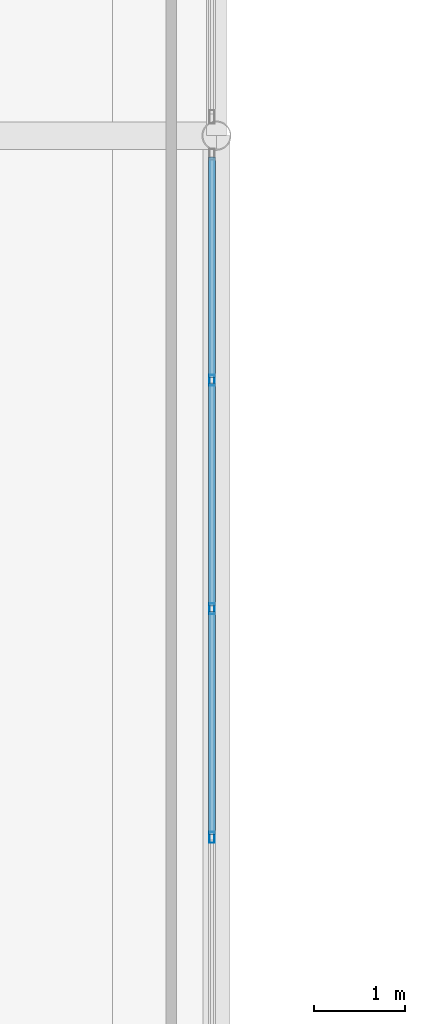
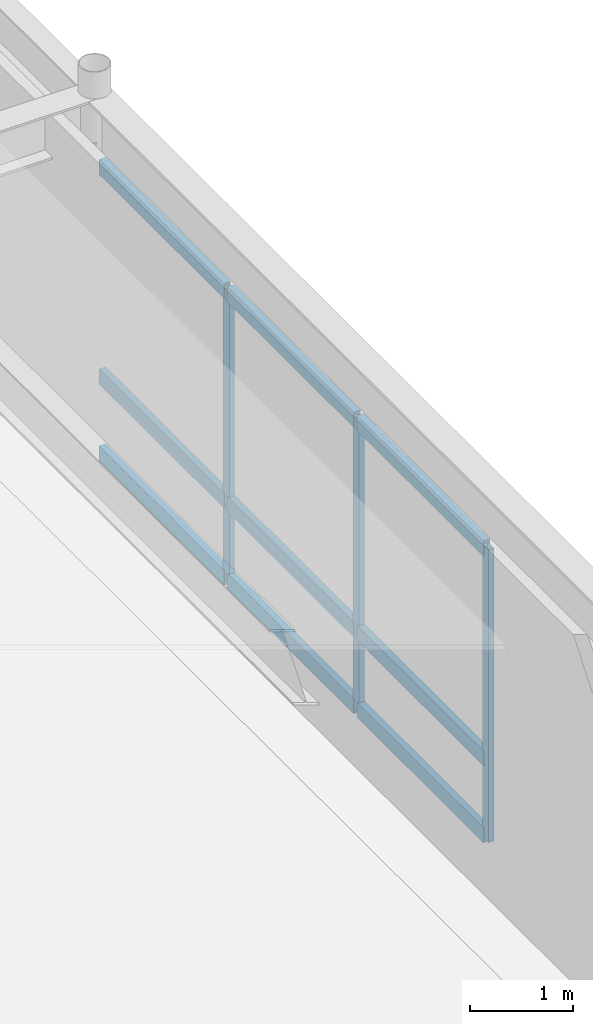
# One storey, part 71 of 127: 12 members, 1 element without a shape of its own.
"""IFC4 building model written with IfcOpenShell, lengths in metres."""

import ifcopenshell
import ifcopenshell.guid

model = None  # the IFC model being written
_history = None  # IfcOwnerHistory: only IFC2X3 demands one
_inside = {}  # id of a spatial element -> (the spatial element, [elements in it])
_under = {}  # id of a project, library or spatial element -> (it, [spatial elements below it])
_declared = {}  # id of a project -> (the project, [libraries it declares])
_typed = {}  # id of a type object -> (the type object, [elements of that type])
_made_of = {}  # id of a material, layer set ... -> (it, [elements and type objects made of it])


def new_model(schema):
    """Start an empty IFC model of exactly this schema.

    Asked for "IFC4X3", IfcOpenShell would pick the latest addendum, in which some entities
    have other attributes; the version numbers below select the first issue.
    IFC2X3 requires an IfcOwnerHistory on every rooted entity: one is made here for all.
    """
    global model, _history
    if schema == "IFC4X3":
        model = ifcopenshell.file(schema_version=(4, 3, 0, 0))
    else:
        model = ifcopenshell.file(schema=schema)
    _inside.clear()
    _under.clear()
    _declared.clear()
    _typed.clear()
    _made_of.clear()
    _history = None
    if model.schema == "IFC2X3":
        org = make("IfcOrganization", Name="unknown")
        user = make(
            "IfcPersonAndOrganization",
            ThePerson=make("IfcPerson", FamilyName="unknown"),
            TheOrganization=org,
        )
        app = make(
            "IfcApplication",
            ApplicationDeveloper=org,
            Version="unknown",
            ApplicationFullName="unknown",
            ApplicationIdentifier="unknown",
        )
        _history = make(
            "IfcOwnerHistory",
            OwningUser=user,
            OwningApplication=app,
            ChangeAction="ADDED",
            CreationDate=0,
        )
    return model


def make(cls, **values):
    """One entity of the class cls with the attributes given. An attribute that is None is left unset."""
    return model.create_entity(
        cls, **{name: value for name, value in values.items() if value is not None}
    )


def rooted(cls, **values):
    """An entity with a GlobalId (a new one), such as an element, a storey or a relation."""
    return make(cls, GlobalId=ifcopenshell.guid.new(), OwnerHistory=_history, **values)


def si_unit(unit_type, name, prefix=None):
    """IfcSIUnit, for example si_unit("LENGTHUNIT", "METRE", prefix="MILLI")."""
    return make("IfcSIUnit", UnitType=unit_type, Prefix=prefix, Name=name)


def assignment(units):
    """IfcUnitAssignment: the units of a project."""
    return None if units is None else make("IfcUnitAssignment", Units=units)


def point(xyz):
    """IfcCartesianPoint."""
    return None if xyz is None else make("IfcCartesianPoint", Coordinates=xyz)


def direction(xyz):
    """IfcDirection."""
    return None if xyz is None else make("IfcDirection", DirectionRatios=xyz)


def frame(location, z_axis=None, x_axis=None):
    """IfcAxis2Placement3D, a coordinate frame: its origin and axes. An axis left out is left unset."""
    return make(
        "IfcAxis2Placement3D",
        Location=point(location),
        Axis=direction(z_axis),
        RefDirection=direction(x_axis),
    )


def frame_2d(location, x_axis=None):
    """IfcAxis2Placement2D, a coordinate frame in the plane: its origin and x axis."""
    return make(
        "IfcAxis2Placement2D", Location=point(location), RefDirection=direction(x_axis)
    )


def origin():
    """The frame at (0, 0, 0) with its axes left unset."""
    return frame((0.0, 0.0, 0.0))


def origin_2d():
    """The frame at (0, 0) in the plane with its x axis left unset."""
    return frame_2d((0.0, 0.0))


def place(relative_to, where):
    """IfcLocalPlacement: puts the frame where relative to a parent placement (None: the world)."""
    return make(
        "IfcLocalPlacement", PlacementRelTo=relative_to, RelativePlacement=where
    )


def context(
    kind, dimensions, precision=None, world=None, true_north=None, identifier=None
):
    """IfcGeometricRepresentationContext, for example the 3D "Model" context."""
    return make(
        "IfcGeometricRepresentationContext",
        ContextIdentifier=identifier,
        ContextType=kind,
        CoordinateSpaceDimension=dimensions,
        Precision=precision,
        WorldCoordinateSystem=world,
        TrueNorth=true_north,
    )


def subcontext(parent, identifier, kind, view, scale=None):
    """IfcGeometricRepresentationSubContext, for example "Body" below "Model"."""
    return make(
        "IfcGeometricRepresentationSubContext",
        ContextIdentifier=identifier,
        ContextType=kind,
        ParentContext=parent,
        TargetScale=scale,
        TargetView=view,
    )


def project(units=None, contexts=None):
    """IfcProject with its units and contexts."""
    return rooted(
        "IfcProject",
        Name="project",
        RepresentationContexts=contexts,
        UnitsInContext=assignment(units),
    )


def spatial(cls, under=None, at=None, **own):
    """A site, building, storey or space (cls), placed at a placement, below another one or the project."""
    s = rooted(cls, ObjectPlacement=at, **own)
    if under is not None:
        _under.setdefault(under.id(), (under, []))[1].append(s)
    return s


def profile(cls, at=None, kind="AREA", **sizes):
    """A parametric profile (cls). Its sizes go by their IFC names, for example OverallWidth=200.0."""
    return make(cls, ProfileType=kind, Position=at, **sizes)


def hollow_rectangle(**sizes):
    """IfcRectangleHollowProfileDef."""
    return profile("IfcRectangleHollowProfileDef", **sizes)


def extrude(swept, where, along, depth):
    """IfcExtrudedAreaSolid: the profile swept, set in the frame where, extruded along a direction by depth."""
    return make(
        "IfcExtrudedAreaSolid",
        SweptArea=swept,
        Position=where,
        ExtrudedDirection=direction(along),
        Depth=depth,
    )


def shape(context_of_items, identifier, shape_type, items):
    """IfcShapeRepresentation: the items that make up one representation, for example the "Body"."""
    return make(
        "IfcShapeRepresentation",
        ContextOfItems=context_of_items,
        RepresentationIdentifier=identifier,
        RepresentationType=shape_type,
        Items=items,
    )


def material(Name=None, Category=None):
    """IfcMaterial."""
    return make("IfcMaterial", Name=Name, Category=Category)


def layer(
    of_material, thickness, ventilated=None, Name=None, Category=None, Priority=None
):
    """IfcMaterialLayer: one layer of a wall or slab, of a material (None: an air gap)."""
    return make(
        "IfcMaterialLayer",
        Material=of_material,
        LayerThickness=thickness,
        IsVentilated=ventilated,
        Name=Name,
        Category=Category,
        Priority=Priority,
    )


def layer_set(layers, Name=None):
    """IfcMaterialLayerSet."""
    return make("IfcMaterialLayerSet", MaterialLayers=layers, LayerSetName=Name)


def material_profile(
    of_material, cross_section, Name=None, Category=None, Priority=None
):
    """IfcMaterialProfile: a cross section and its material."""
    return make(
        "IfcMaterialProfile",
        Name=Name,
        Material=of_material,
        Profile=cross_section,
        Priority=Priority,
        Category=Category,
    )


def profile_set(profiles, Name=None, composite=None):
    """IfcMaterialProfileSet."""
    return make(
        "IfcMaterialProfileSet",
        Name=Name,
        MaterialProfiles=profiles,
        CompositeProfile=composite,
    )


def made_of(thing, what):
    """Note that an element or type object is made of a material, layer set ...; save() writes the relation."""
    if what is not None:
        _made_of.setdefault(what.id(), (what, []))[1].append(thing)
    return thing


def type_object(cls, material=None, **own):
    """A type object (cls), such as IfcWallType, which elements share."""
    return made_of(rooted(cls, **own), material)


def element(
    cls,
    number,
    at=None,
    inside=None,
    cuts=None,
    type_object=None,
    material=None,
    context=None,
    identifier="Body",
    shape_type=None,
    held_by="IfcProductDefinitionShape",
    body=None,
    shapes=None,
    **own,
):
    """One element of the class cls, such as IfcWall. Its Tag is "e" and its number.

    at: its placement. inside: the storey or other place that contains it. cuts: it is an
    opening in that element (IfcRelVoidsElement). A single representation is given by context,
    identifier, shape_type and body (its items); several are given by shapes. held_by: the class
    of the entity that holds the representations. save() writes the other relations.
    """
    e = rooted(cls, Tag="e%d" % number, ObjectPlacement=at, **own)
    if body is not None:
        shapes = [shape(context, identifier, shape_type, body)]
    if shapes is not None:
        e.Representation = make(held_by, Representations=shapes)
    if inside is not None:
        _inside.setdefault(inside.id(), (inside, []))[1].append(e)
    if cuts is not None:
        rooted(
            "IfcRelVoidsElement", RelatingBuildingElement=cuts, RelatedOpeningElement=e
        )
    if type_object is not None:
        _typed.setdefault(type_object.id(), (type_object, []))[1].append(e)
    return made_of(e, material)


def aggregate(whole, parts):
    """IfcRelAggregates: a whole, such as a stair, and the parts it consists of."""
    return rooted("IfcRelAggregates", RelatingObject=whole, RelatedObjects=parts)


def save(model, path):
    """Write the relations noted so far, then the file.

    IfcRelAggregates (storeys below a building ...), IfcRelContainedInSpatialStructure (elements
    in a storey), IfcRelDefinesByType, IfcRelAssociatesMaterial and IfcRelDeclares: one each for
    every whole, place, type object, material and project.
    """
    for whole, parts in _under.values():
        aggregate(whole, parts)
    for where, things in _inside.values():
        rooted(
            "IfcRelContainedInSpatialStructure",
            RelatedElements=things,
            RelatingStructure=where,
        )
    for kind, things in _typed.values():
        rooted("IfcRelDefinesByType", RelatedObjects=things, RelatingType=kind)
    for what, things in _made_of.values():
        rooted("IfcRelAssociatesMaterial", RelatedObjects=things, RelatingMaterial=what)
    for by, libraries in _declared.values():
        rooted("IfcRelDeclares", RelatingContext=by, RelatedDefinitions=libraries)
    model.write(path)


model = new_model("IFC4")

# Units and contexts
model_context = context("Model", 3, precision=1e-05, world=origin(), true_north=direction((0.0, 1.0)))
body_context = subcontext(model_context, "Body", "Model", "MODEL_VIEW")
ifc_project = project(units=[si_unit("LENGTHUNIT", "METRE"), si_unit("AREAUNIT", "SQUARE_METRE"), si_unit("VOLUMEUNIT", "CUBIC_METRE"), si_unit("PLANEANGLEUNIT", "RADIAN"), si_unit("MASSUNIT", "GRAM", prefix="KILO")], contexts=[model_context])

# Site, building, storey
site_placement = place(None, origin())
site = spatial("IfcSite", under=ifc_project, at=site_placement, CompositionType="ELEMENT")
building_placement = place(site_placement, origin())
building = spatial("IfcBuilding", under=site, at=building_placement, Name="Montelvaro Courts of Justice", CompositionType="ELEMENT")
storey_placement = place(building_placement, frame((0.0, 0.0, 5.39990234375)))
storey = spatial("IfcBuildingStorey", under=building, at=storey_placement, Name="L01", CompositionType="ELEMENT", Elevation=5.39990234375)

# Curtain wall, members
ifc_material = material(Name="Anodised aluminium EN AW-6063", Category="aluminium")
ifc_layer = layer(ifc_material, 0.159912109375)
ifc_layer_set = layer_set([ifc_layer], Name="Anodised aluminium EN AW-6063")
curtain_wall_type = type_object("IfcCurtainWallType", Name="CurtainWall_15_1765x418", PredefinedType="USERDEFINED", material=ifc_layer_set)
curtain_wall_placement = place(storey_placement, origin())
curtain_wall = element("IfcCurtainWall", 1, at=curtain_wall_placement, inside=storey, type_object=curtain_wall_type, Name="Curtain Wall CW-15 (L01)", ObjectType="CURTAIN WALL", PredefinedType="USERDEFINED")
ifc_material_profile_1 = material_profile(ifc_material, hollow_rectangle(XDim=0.06005859375, YDim=0.1201171875, WallThickness=0.00341796875, at=origin_2d()), Name="ALU-M 60x120")
ifc_profile_set_1 = profile_set([ifc_material_profile_1], Name="Anodised aluminium EN AW-6063")
member_type_1 = type_object("IfcMemberType", Name="CurtainWall_Mullion_60x120", PredefinedType="MULLION", material=ifc_profile_set_1)
member_1_placement = place(storey_placement, frame((80.949951171875, 88.260498046875, 0.0), z_axis=(0.0, 0.0, 1.0), x_axis=(-1.0, 0.0, 0.0)))
member_1 = element("IfcMember", 2, at=member_1_placement, type_object=member_type_1, Name="CW-15 mullion 5", PredefinedType="MULLION", context=body_context, shape_type="SweptSolid", body=[
    extrude(hollow_rectangle(XDim=0.06005859375, YDim=0.1201171875, WallThickness=0.00341796875, at=origin_2d()), origin(), (0.0, 0.0, 1.0), 3.47509765625),
])
member_2_placement = place(storey_placement, frame((80.949951171875, 90.78125, 0.0), z_axis=(0.0, 0.0, 1.0), x_axis=(-1.0, 0.0, 0.0)))
member_2 = element("IfcMember", 3, at=member_2_placement, type_object=member_type_1, Name="CW-15 mullion 6", PredefinedType="MULLION", context=body_context, shape_type="SweptSolid", body=[
    extrude(hollow_rectangle(XDim=0.06005859375, YDim=0.1201171875, WallThickness=0.00341796875, at=origin_2d()), origin(), (0.0, 0.0, 1.0), 3.47509765625),
])
member_3_placement = place(storey_placement, frame((80.949951171875, 93.30224609375, 0.0), z_axis=(0.0, 0.0, 1.0), x_axis=(-1.0, 0.0, 0.0)))
member_3 = element("IfcMember", 4, at=member_3_placement, type_object=member_type_1, Name="CW-15 mullion 7", PredefinedType="MULLION", context=body_context, shape_type="SweptSolid", body=[
    extrude(hollow_rectangle(XDim=0.06005859375, YDim=0.1201171875, WallThickness=0.00341796875, at=origin_2d()), origin(), (0.0, 0.0, 1.0), 3.47509765625),
])
ifc_material_profile_2 = material_profile(ifc_material, hollow_rectangle(XDim=0.074951171875, YDim=0.179931640625, WallThickness=0.0048828125, at=origin_2d()), Name="ALU-T 75x180")
ifc_profile_set_2 = profile_set([ifc_material_profile_2], Name="Anodised aluminium EN AW-6063")
member_type_2 = type_object("IfcMemberType", Name="CurtainWall_Transom_75x180", PredefinedType="USERDEFINED", material=ifc_profile_set_2)
member_4_placement = place(storey_placement, frame((80.949951171875, 88.29052734375, 0.03759765625), z_axis=(0.0, 1.0, 0.0), x_axis=(-1.0, 0.0, 0.0)))
member_4 = element("IfcMember", 5, at=member_4_placement, type_object=member_type_2, Name="CW-15 transom 5.1", ObjectType="TRANSOM", PredefinedType="USERDEFINED", context=body_context, shape_type="SweptSolid", body=[
    extrude(hollow_rectangle(XDim=0.074951171875, YDim=0.179931640625, WallThickness=0.0048828125, at=origin_2d()), origin(), (0.0, 0.0, 1.0), 2.460693359375),
])
member_5_placement = place(storey_placement, frame((80.949951171875, 88.29052734375, 0.9501953125), z_axis=(0.0, 1.0, 0.0), x_axis=(-1.0, 0.0, 0.0)))
member_5 = element("IfcMember", 6, at=member_5_placement, type_object=member_type_2, Name="CW-15 transom 5.2", ObjectType="TRANSOM", PredefinedType="USERDEFINED", context=body_context, shape_type="SweptSolid", body=[
    extrude(hollow_rectangle(XDim=0.074951171875, YDim=0.179931640625, WallThickness=0.0048828125, at=origin_2d()), origin(), (0.0, 0.0, 1.0), 2.460693359375),
])
member_6_placement = place(storey_placement, frame((80.949951171875, 88.29052734375, 3.4375), z_axis=(0.0, 1.0, 0.0), x_axis=(-1.0, 0.0, 0.0)))
member_6 = element("IfcMember", 7, at=member_6_placement, type_object=member_type_2, Name="CW-15 transom 5.3", ObjectType="TRANSOM", PredefinedType="USERDEFINED", context=body_context, shape_type="SweptSolid", body=[
    extrude(hollow_rectangle(XDim=0.074951171875, YDim=0.179931640625, WallThickness=0.0048828125, at=origin_2d()), origin(), (0.0, 0.0, 1.0), 2.460693359375),
])
member_7_placement = place(storey_placement, frame((80.949951171875, 90.811279296875, 0.03759765625), z_axis=(0.0, 1.0, 0.0), x_axis=(-1.0, 0.0, 0.0)))
member_7 = element("IfcMember", 8, at=member_7_placement, type_object=member_type_2, Name="CW-15 transom 6.1", ObjectType="TRANSOM", PredefinedType="USERDEFINED", context=body_context, shape_type="SweptSolid", body=[
    extrude(hollow_rectangle(XDim=0.074951171875, YDim=0.179931640625, WallThickness=0.0048828125, at=origin_2d()), origin(), (0.0, 0.0, 1.0), 2.4609375),
])
member_8_placement = place(storey_placement, frame((80.949951171875, 90.811279296875, 0.9501953125), z_axis=(0.0, 1.0, 0.0), x_axis=(-1.0, 0.0, 0.0)))
member_8 = element("IfcMember", 9, at=member_8_placement, type_object=member_type_2, Name="CW-15 transom 6.2", ObjectType="TRANSOM", PredefinedType="USERDEFINED", context=body_context, shape_type="SweptSolid", body=[
    extrude(hollow_rectangle(XDim=0.074951171875, YDim=0.179931640625, WallThickness=0.0048828125, at=origin_2d()), origin(), (0.0, 0.0, 1.0), 2.4609375),
])
member_9_placement = place(storey_placement, frame((80.949951171875, 90.811279296875, 3.4375), z_axis=(0.0, 1.0, 0.0), x_axis=(-1.0, 0.0, 0.0)))
member_9 = element("IfcMember", 10, at=member_9_placement, type_object=member_type_2, Name="CW-15 transom 6.3", ObjectType="TRANSOM", PredefinedType="USERDEFINED", context=body_context, shape_type="SweptSolid", body=[
    extrude(hollow_rectangle(XDim=0.074951171875, YDim=0.179931640625, WallThickness=0.0048828125, at=origin_2d()), origin(), (0.0, 0.0, 1.0), 2.4609375),
])
member_10_placement = place(storey_placement, frame((80.949951171875, 93.33203125, 0.03759765625), z_axis=(0.0, 1.0, 0.0), x_axis=(-1.0, 0.0, 0.0)))
member_10 = element("IfcMember", 11, at=member_10_placement, type_object=member_type_2, Name="CW-15 transom 7.1", ObjectType="TRANSOM", PredefinedType="USERDEFINED", context=body_context, shape_type="SweptSolid", body=[
    extrude(hollow_rectangle(XDim=0.074951171875, YDim=0.179931640625, WallThickness=0.0048828125, at=origin_2d()), origin(), (0.0, 0.0, 1.0), 2.430908203125),
])
member_11_placement = place(storey_placement, frame((80.949951171875, 93.33203125, 0.9501953125), z_axis=(0.0, 1.0, 0.0), x_axis=(-1.0, 0.0, 0.0)))
member_11 = element("IfcMember", 12, at=member_11_placement, type_object=member_type_2, Name="CW-15 transom 7.2", ObjectType="TRANSOM", PredefinedType="USERDEFINED", context=body_context, shape_type="SweptSolid", body=[
    extrude(hollow_rectangle(XDim=0.074951171875, YDim=0.179931640625, WallThickness=0.0048828125, at=origin_2d()), origin(), (0.0, 0.0, 1.0), 2.430908203125),
])
member_12_placement = place(storey_placement, frame((80.949951171875, 93.33203125, 3.4375), z_axis=(0.0, 1.0, 0.0), x_axis=(-1.0, 0.0, 0.0)))
member_12 = element("IfcMember", 13, at=member_12_placement, type_object=member_type_2, Name="CW-15 transom 7.3", ObjectType="TRANSOM", PredefinedType="USERDEFINED", context=body_context, shape_type="SweptSolid", body=[
    extrude(hollow_rectangle(XDim=0.074951171875, YDim=0.179931640625, WallThickness=0.0048828125, at=origin_2d()), origin(), (0.0, 0.0, 1.0), 2.430908203125),
])
aggregate(curtain_wall, [member_1, member_2, member_3, member_4, member_5, member_6, member_7, member_8, member_9, member_10, member_11, member_12])

save(model, "model.ifc")
